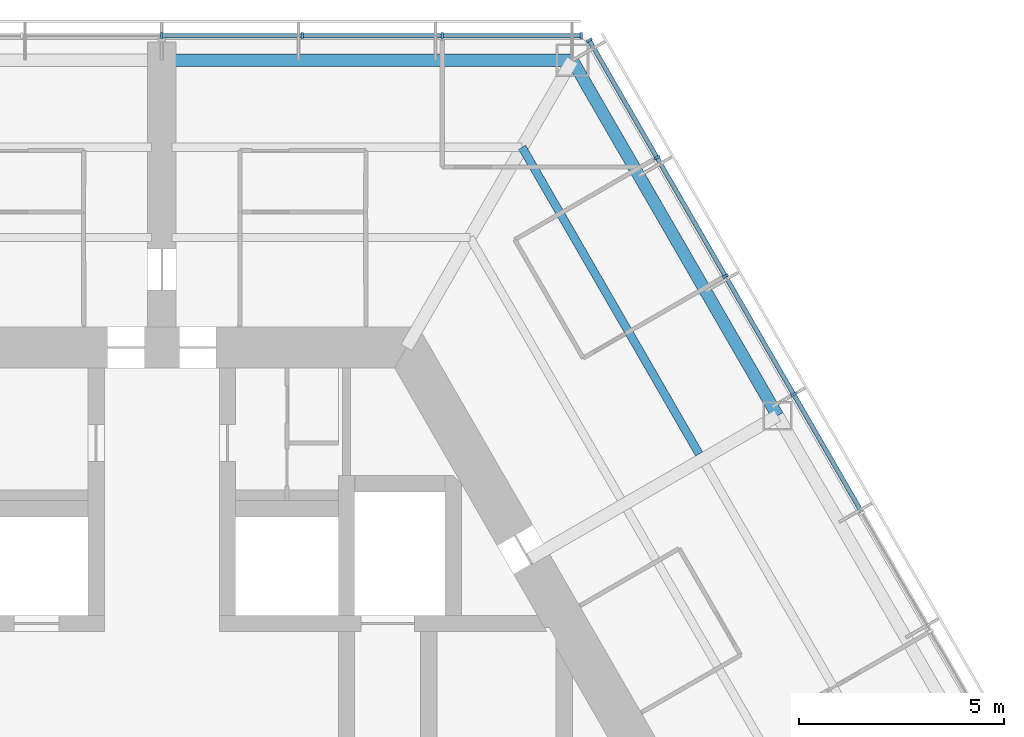
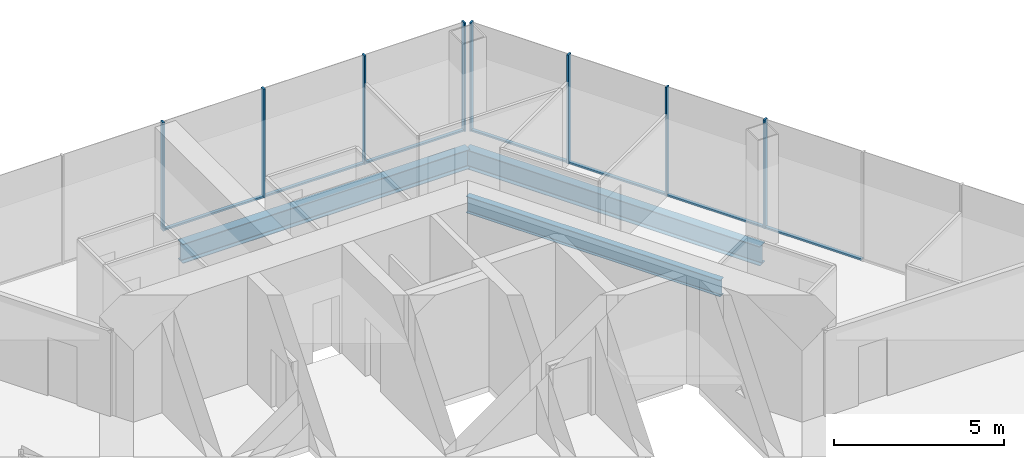
# One storey, part 8 of 18: 15 members, 3 beams, 2 elements without a shape of their own.
"""IFC4 building model written with IfcOpenShell, lengths in metres."""

from ifc_helpers import new_model, si_unit, direction, frame, origin, origin_2d, place, context, subcontext, project, spatial, rectangle, i_section, extrude, material, material_profile, profile_set, type_object, element, aggregate, save


model = new_model("IFC4")

# Units and contexts
model_context = context("Model", 3, precision=1e-05, world=origin(), true_north=direction((0.0, 1.0)))
body_context = subcontext(model_context, "Body", "Model", "MODEL_VIEW")
ifc_project = project(units=[si_unit("LENGTHUNIT", "METRE"), si_unit("AREAUNIT", "SQUARE_METRE"), si_unit("VOLUMEUNIT", "CUBIC_METRE"), si_unit("PLANEANGLEUNIT", "RADIAN"), si_unit("MASSUNIT", "GRAM", prefix="KILO")], contexts=[model_context])

# Site, building, storey
site_placement = place(None, origin())
site = spatial("IfcSite", under=ifc_project, at=site_placement, CompositionType="ELEMENT")
building_placement = place(site_placement, origin())
building = spatial("IfcBuilding", under=site, at=building_placement, Name="Kasaneha Research Tower", CompositionType="ELEMENT")
storey_placement = place(building_placement, frame((0.0, 0.0, 144.800048828125)))
storey = spatial("IfcBuildingStorey", under=building, at=storey_placement, Name="L36", CompositionType="ELEMENT", Elevation=144.800048828125)

# Beam
ifc_material_1 = material(Name="Steel SN490B", Category="steel")
ifc_material_profile_1 = material_profile(ifc_material_1, i_section(OverallWidth=0.199951171875, OverallDepth=0.60009765625, WebThickness=0.010986328125, FlangeThickness=0.01708984375, FilletRadius=0.012939453125, at=origin_2d()), Name="H-600x200x11x17")
ifc_profile_set_1 = profile_set([ifc_material_profile_1], Name="Steel SN490B")
beam_type_1 = type_object("IfcBeamType", Name="B1-3 secondary beam H-600x200x11x17", PredefinedType="JOIST", material=ifc_profile_set_1)
beam_1_placement = place(storey_placement, frame((8.775634765625, 15.199951171875, -0.449951171875), z_axis=(0.500017275495, -0.866015429543, 0.0), x_axis=(0.866015429543, 0.500017275495, 0.0)))
element("IfcBeam", 1, at=beam_1_placement, inside=storey, type_object=beam_type_1, Name="Secondary beam RS030R2 L36", PredefinedType="JOIST", context=body_context, shape_type="SweptSolid", body=[
    extrude(i_section(OverallWidth=0.199951171875, OverallDepth=0.60009765625, WebThickness=0.010986328125, FlangeThickness=0.01708984375, FilletRadius=0.012939453125, at=origin_2d()), origin(), (0.0, 0.0, 1.0), 8.625732421875),
])

# Curtain wall, members
ifc_material_2 = material(Name="Glass and aluminium", Category="aluminium")
curtain_wall_type = type_object("IfcCurtainWallType", Name="Mid-rise office curtain wall", PredefinedType="USERDEFINED", material=ifc_material_2)
curtain_wall_1_placement = place(storey_placement, origin())
curtain_wall_1 = element("IfcCurtainWall", 2, at=curtain_wall_1_placement, inside=storey, type_object=curtain_wall_type, Name="CW-O2 L36 run 06a", ObjectType="UNITISED CURTAIN WALL", PredefinedType="USERDEFINED")
ifc_material_3 = material(Name="Aluminium 6063-T6", Category="aluminium")
ifc_material_profile_2 = material_profile(ifc_material_3, rectangle(XDim=0.06005859375, YDim=0.14990234375, at=origin_2d()), Name="CW-O2 mullion 60x150")
ifc_profile_set_2 = profile_set([ifc_material_profile_2], Name="Aluminium 6063-T6")
member_type_1 = type_object("IfcMemberType", Name="CW-O2 mullion", PredefinedType="MULLION", material=ifc_profile_set_2)
member_1_placement = place(storey_placement, frame((15.392822265625, 9.179931640625, 0.0), z_axis=(0.0, 0.0, 1.0), x_axis=(-0.499999979232, 0.866025415775, 0.0)))
member_1 = element("IfcMember", 3, at=member_1_placement, type_object=member_type_1, Name="CW-O2 mullion 4", PredefinedType="MULLION", context=body_context, shape_type="SweptSolid", body=[
    extrude(rectangle(XDim=0.06005859375, YDim=0.14990234375, at=origin_2d()), origin(), (0.0, 0.0, 1.0), 3.89990234375),
])
member_2_placement = place(storey_placement, frame((13.727294921875, 12.064453125, 0.0), z_axis=(0.0, 0.0, 1.0), x_axis=(-0.499999979232, 0.866025415775, 0.0)))
member_2 = element("IfcMember", 4, at=member_2_placement, type_object=member_type_1, Name="CW-O2 mullion 5", PredefinedType="MULLION", context=body_context, shape_type="SweptSolid", body=[
    extrude(rectangle(XDim=0.06005859375, YDim=0.14990234375, at=origin_2d()), origin(), (0.0, 0.0, 1.0), 3.89990234375),
])
member_3_placement = place(storey_placement, frame((12.061767578125, 14.94921875, 0.0), z_axis=(0.0, 0.0, 1.0), x_axis=(-0.499999979232, 0.866025415775, 0.0)))
member_3 = element("IfcMember", 5, at=member_3_placement, type_object=member_type_1, Name="CW-O2 mullion 6", PredefinedType="MULLION", context=body_context, shape_type="SweptSolid", body=[
    extrude(rectangle(XDim=0.06005859375, YDim=0.14990234375, at=origin_2d()), origin(), (0.0, 0.0, 1.0), 3.89990234375),
])
member_4_placement = place(storey_placement, frame((10.411376953125, 17.807861328125, 0.0), z_axis=(0.0, 0.0, 1.0), x_axis=(-0.499999979232, 0.866025415775, 0.0)))
member_4 = element("IfcMember", 6, at=member_4_placement, type_object=member_type_1, Name="CW-O2 mullion 7", PredefinedType="MULLION", context=body_context, shape_type="SweptSolid", body=[
    extrude(rectangle(XDim=0.06005859375, YDim=0.14990234375, at=origin_2d()), origin(), (0.0, 0.0, 1.0), 3.89990234375),
])

curtain_wall_2_placement = place(storey_placement, origin())
curtain_wall_2 = element("IfcCurtainWall", 7, at=curtain_wall_2_placement, inside=storey, type_object=curtain_wall_type, Name="CW-O2 L36 run 07a", ObjectType="UNITISED CURTAIN WALL", PredefinedType="USERDEFINED")
member_5_placement = place(storey_placement, frame((10.21630859375, 17.92041015625, 0.0), z_axis=(0.0, 0.0, 1.0), x_axis=(-1.0, 0.0, 0.0)))
member_5 = element("IfcMember", 8, at=member_5_placement, type_object=member_type_1, Name="CW-O2 mullion 1", PredefinedType="MULLION", context=body_context, shape_type="SweptSolid", body=[
    extrude(rectangle(XDim=0.06005859375, YDim=0.14990234375, at=origin_2d()), origin(), (0.0, 0.0, 1.0), 3.89990234375),
])
member_6_placement = place(storey_placement, frame((6.8310546875, 17.92041015625, 0.0), z_axis=(0.0, 0.0, 1.0), x_axis=(-1.0, 0.0, 0.0)))
member_6 = element("IfcMember", 9, at=member_6_placement, type_object=member_type_1, Name="CW-O2 mullion 2", PredefinedType="MULLION", context=body_context, shape_type="SweptSolid", body=[
    extrude(rectangle(XDim=0.06005859375, YDim=0.14990234375, at=origin_2d()), origin(), (0.0, 0.0, 1.0), 3.89990234375),
])
member_7_placement = place(storey_placement, frame((3.41552734375, 17.92041015625, 0.0), z_axis=(0.0, 0.0, 1.0), x_axis=(-1.0, 0.0, 0.0)))
member_7 = element("IfcMember", 10, at=member_7_placement, type_object=member_type_1, Name="CW-O2 mullion 3", PredefinedType="MULLION", context=body_context, shape_type="SweptSolid", body=[
    extrude(rectangle(XDim=0.06005859375, YDim=0.14990234375, at=origin_2d()), origin(), (0.0, 0.0, 1.0), 3.89990234375),
])
member_8_placement = place(storey_placement, frame((0.0, 17.92041015625, 0.0), z_axis=(0.0, 0.0, 1.0), x_axis=(-1.0, 0.0, 0.0)))
member_8 = element("IfcMember", 11, at=member_8_placement, type_object=member_type_1, Name="CW-O2 mullion 4", PredefinedType="MULLION", context=body_context, shape_type="SweptSolid", body=[
    extrude(rectangle(XDim=0.06005859375, YDim=0.14990234375, at=origin_2d()), origin(), (0.0, 0.0, 1.0), 3.89990234375),
])

# Member
ifc_material_4 = material(Name="Aluminium 6063-T6", Category="aluminium")
ifc_material_profile_3 = material_profile(ifc_material_4, rectangle(XDim=0.110107421875, YDim=0.06005859375, at=origin_2d()), Name="CW-O2 transom 110x60")
ifc_profile_set_3 = profile_set([ifc_material_profile_3], Name="Aluminium 6063-T6")
member_type_2 = type_object("IfcMemberType", Name="CW-O2 transom", PredefinedType="USERDEFINED", material=ifc_profile_set_3)
member_9_placement = place(storey_placement, frame((17.043212890625, 6.3212890625, 0.030029296875), z_axis=(-0.50003259116, 0.866006586452, 0.0), x_axis=(-0.866006586452, -0.50003259116, 0.0)))
member_9 = element("IfcMember", 12, at=member_9_placement, type_object=member_type_2, Name="CW-O2 transom 3", ObjectType="TRANSOM", PredefinedType="USERDEFINED", context=body_context, shape_type="SweptSolid", body=[
    extrude(rectangle(XDim=0.110107421875, YDim=0.06005859375, at=origin_2d()), origin(), (0.0, 0.0, 1.0), 3.270751953125),
])

member_10_placement = place(storey_placement, frame((15.3779296875, 9.205810546875, 0.030029296875), z_axis=(-0.500000270186, 0.866025247793, 0.0), x_axis=(-0.866025247793, -0.500000270186, 0.0)))
member_10 = element("IfcMember", 13, at=member_10_placement, type_object=member_type_2, Name="CW-O2 transom 4", ObjectType="TRANSOM", PredefinedType="USERDEFINED", context=body_context, shape_type="SweptSolid", body=[
    extrude(rectangle(XDim=0.110107421875, YDim=0.06005859375, at=origin_2d()), origin(), (0.0, 0.0, 1.0), 3.27099609375),
])

member_11_placement = place(storey_placement, frame((13.71240234375, 12.090576171875, 0.030029296875), z_axis=(-0.500000270186, 0.866025247793, 0.0), x_axis=(-0.866025247793, -0.500000270186, 0.0)))
member_11 = element("IfcMember", 14, at=member_11_placement, type_object=member_type_2, Name="CW-O2 transom 5", ObjectType="TRANSOM", PredefinedType="USERDEFINED", context=body_context, shape_type="SweptSolid", body=[
    extrude(rectangle(XDim=0.110107421875, YDim=0.06005859375, at=origin_2d()), origin(), (0.0, 0.0, 1.0), 3.27099609375),
])

member_12_placement = place(storey_placement, frame((12.046875, 14.97509765625, 0.030029296875), z_axis=(-0.499955025697, 0.866051368154, 0.0), x_axis=(-0.866051368154, -0.499955025697, 0.0)))
member_12 = element("IfcMember", 15, at=member_12_placement, type_object=member_type_2, Name="CW-O2 transom 6", ObjectType="TRANSOM", PredefinedType="USERDEFINED", context=body_context, shape_type="SweptSolid", body=[
    extrude(rectangle(XDim=0.110107421875, YDim=0.06005859375, at=origin_2d()), origin(), (0.0, 0.0, 1.0), 3.240966796875),
])

aggregate(curtain_wall_1, [member_1, member_2, member_3, member_4, member_9, member_10, member_11, member_12])

member_13_placement = place(storey_placement, frame((10.1865234375, 17.92041015625, 0.030029296875), z_axis=(-1.0, 0.0, 0.0), x_axis=(0.0, -1.0, 0.0)))
member_13 = element("IfcMember", 16, at=member_13_placement, type_object=member_type_2, Name="CW-O2 transom 1", ObjectType="TRANSOM", PredefinedType="USERDEFINED", context=body_context, shape_type="SweptSolid", body=[
    extrude(rectangle(XDim=0.110107421875, YDim=0.06005859375, at=origin_2d()), origin(), (0.0, 0.0, 1.0), 3.32568359375),
])

member_14_placement = place(storey_placement, frame((6.801025390625, 17.92041015625, 0.030029296875), z_axis=(-1.0, 0.0, 0.0), x_axis=(0.0, -1.0, 0.0)))
member_14 = element("IfcMember", 17, at=member_14_placement, type_object=member_type_2, Name="CW-O2 transom 2", ObjectType="TRANSOM", PredefinedType="USERDEFINED", context=body_context, shape_type="SweptSolid", body=[
    extrude(rectangle(XDim=0.110107421875, YDim=0.06005859375, at=origin_2d()), origin(), (0.0, 0.0, 1.0), 3.35546875),
])

member_15_placement = place(storey_placement, frame((3.385498046875, 17.92041015625, 0.030029296875), z_axis=(-1.0, 0.0, 0.0), x_axis=(0.0, -1.0, 0.0)))
member_15 = element("IfcMember", 18, at=member_15_placement, type_object=member_type_2, Name="CW-O2 transom 3", ObjectType="TRANSOM", PredefinedType="USERDEFINED", context=body_context, shape_type="SweptSolid", body=[
    extrude(rectangle(XDim=0.110107421875, YDim=0.06005859375, at=origin_2d()), origin(), (0.0, 0.0, 1.0), 3.35546875),
])

aggregate(curtain_wall_2, [member_5, member_6, member_7, member_8, member_13, member_14, member_15])

# Beams
ifc_material_5 = material(Name="Steel SN490B", Category="steel")
ifc_material_profile_4 = material_profile(ifc_material_5, i_section(OverallWidth=0.300048828125, OverallDepth=0.69189453125, WebThickness=0.012939453125, FlangeThickness=0.02001953125, FilletRadius=0.01806640625, at=origin_2d()), Name="H-692x300x13x20")
ifc_profile_set_4 = profile_set([ifc_material_profile_4], Name="Steel SN490B")
beam_type_2 = type_object("IfcBeamType", Name="G3-3 plate edge girder H-692x300x13x20", PredefinedType="BEAM", material=ifc_profile_set_4)
beam_2_placement = place(storey_placement, frame((10.0, 17.320556640625, -0.49609375), z_axis=(-1.0, 0.0, 0.0), x_axis=(0.0, -1.0, 0.0)))
element("IfcBeam", 19, at=beam_2_placement, inside=storey, type_object=beam_type_2, Name="Plate edge girder PEAP L36", PredefinedType="BEAM", context=body_context, shape_type="SweptSolid", body=[
    extrude(i_section(OverallWidth=0.300048828125, OverallDepth=0.69189453125, WebThickness=0.012939453125, FlangeThickness=0.02001953125, FilletRadius=0.01806640625, at=origin_2d()), origin(), (0.0, 0.0, 1.0), 9.75),
])
ifc_material_6 = material(Name="Steel SN490B", Category="steel")
ifc_material_profile_5 = material_profile(ifc_material_6, i_section(OverallWidth=0.300048828125, OverallDepth=0.69189453125, WebThickness=0.012939453125, FlangeThickness=0.02001953125, FilletRadius=0.01806640625, at=origin_2d()), Name="H-692x300x13x20")
ifc_profile_set_5 = profile_set([ifc_material_profile_5], Name="Steel SN490B")
beam_type_3 = type_object("IfcBeamType", Name="SB1-3 spandrel beam H-692x300x13x20", PredefinedType="SPANDREL", material=ifc_profile_set_5)
beam_3_placement = place(storey_placement, frame((10.0, 17.320556640625, -0.49609375), z_axis=(0.499993662806, -0.866029062534, 0.0), x_axis=(0.866029062534, 0.499993662806, 0.0)))
element("IfcBeam", 20, at=beam_3_placement, inside=storey, type_object=beam_type_3, Name="Spandrel beam SR030R L36", PredefinedType="SPANDREL", context=body_context, shape_type="SweptSolid", body=[
    extrude(i_section(OverallWidth=0.300048828125, OverallDepth=0.69189453125, WebThickness=0.012939453125, FlangeThickness=0.02001953125, FilletRadius=0.01806640625, at=origin_2d()), origin(), (0.0, 0.0, 1.0), 10.000244140625),
])

save(model, "model.ifc")
